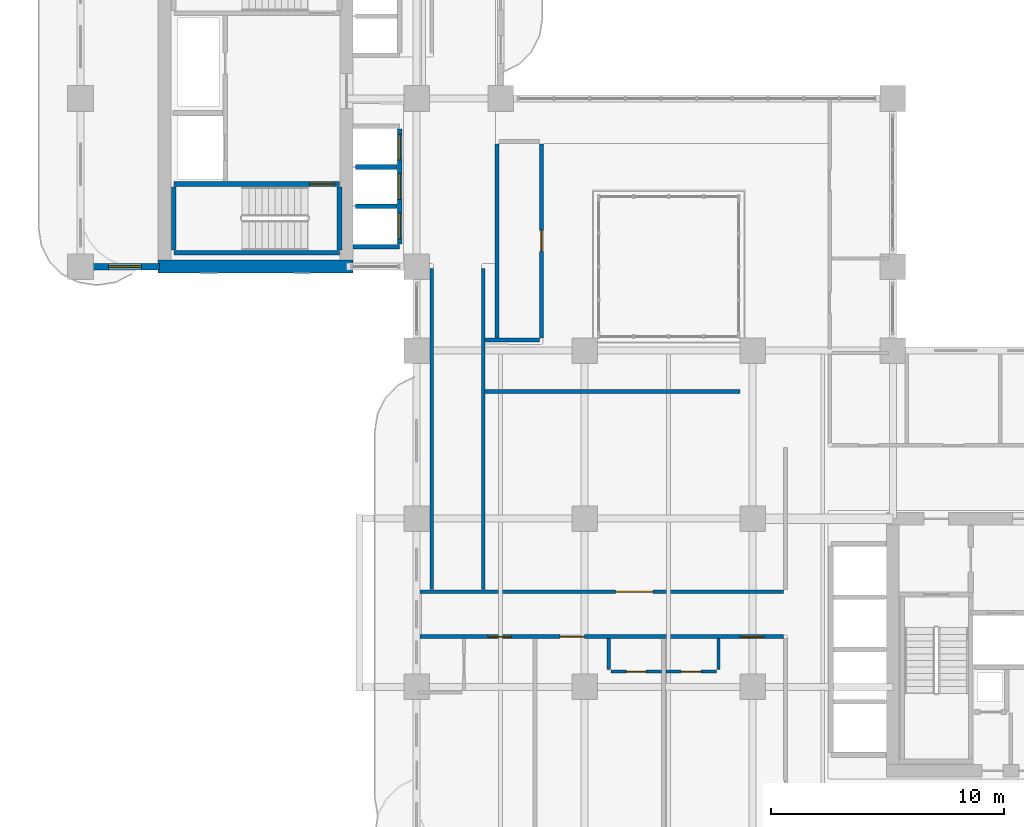
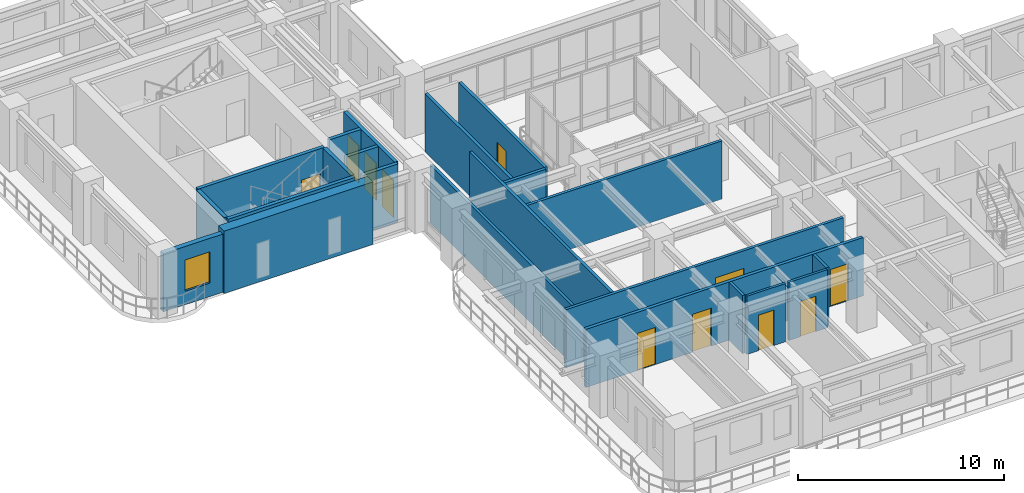
# One storey, part 12 of 22: 22 walls, 11 doors, 1 window, 12 openings.
"""IFC4 building model written with IfcOpenShell, lengths in metres."""

from ifc_helpers import new_model, si_unit, derived_unit, direction, frame, frame_2d, origin, place, context, subcontext, project, spatial, rectangle, extrude, source, transform, mapped, material, layer, layer_set, type_object, type_shapes, element, fill, save


model = new_model("IFC4")

# Units and contexts
model_context = context("Model", 3, precision=1e-05, world=origin(), true_north=direction((0.0, 1.0)))
body_context = subcontext(model_context, "Body", "Model", "MODEL_VIEW")
ifc_project = project(units=[si_unit("LENGTHUNIT", "METRE"), si_unit("AREAUNIT", "SQUARE_METRE"), si_unit("VOLUMEUNIT", "CUBIC_METRE"), si_unit("PLANEANGLEUNIT", "RADIAN"), si_unit("MASSUNIT", "GRAM", prefix="KILO"), si_unit("THERMODYNAMICTEMPERATUREUNIT", "KELVIN"), si_unit("POWERUNIT", "WATT"), derived_unit("THERMALTRANSMITTANCEUNIT", [(si_unit("POWERUNIT", "WATT"), 1), (si_unit("AREAUNIT", "SQUARE_METRE"), -1), (si_unit("THERMODYNAMICTEMPERATUREUNIT", "KELVIN"), -1)])], contexts=[model_context])

# Site, building, storey
site_placement = place(None, origin())
site = spatial("IfcSite", under=ifc_project, at=site_placement, CompositionType="ELEMENT")
building_placement = place(site_placement, origin())
building = spatial("IfcBuilding", under=site, at=building_placement, Name="Zahravan Archway Hotel and Residences", CompositionType="ELEMENT")
storey_placement = place(building_placement, frame((0.0, 0.0, 80.5)))
storey = spatial("IfcBuildingStorey", under=building, at=storey_placement, Name="L19", CompositionType="ELEMENT", Elevation=80.5)

# Wall
ifc_material_1 = material(Name="Concrete C70/85", Category="concrete")
ifc_layer_1 = layer(ifc_material_1, 0.550048828125, Name="Concrete C70/85", Category="concrete")
ifc_layer_set_1 = layer_set([ifc_layer_1], Name="Concrete C70/85")
wall_type_1 = type_object("IfcWallType", Name="CW-CORE-550", PredefinedType="SHEAR", material=ifc_layer_set_1)
wall_1_placement = place(storey_placement, frame((3.324951171875, 25.199951171875, 0.0), z_axis=(0.0, 0.0, 1.0), x_axis=(1.0, 0.0, 0.0)))
element("IfcWall", 1, at=wall_1_placement, inside=storey, type_object=wall_type_1, Name="L19 Core B Shear S Wall 550 mm", PredefinedType="SHEAR", context=body_context, shape_type="SweptSolid", body=[
    extrude(rectangle(XDim=8.35009765625, YDim=0.550048828125, at=frame_2d((4.175048828125, 0.0))), origin(), (0.0, 0.0, 1.0), 3.699951171875),
])

# Wall, opening, window
ifc_material_2 = material(Name="Honed Red-Ochre Sandstone & Insulated Block", Category="masonry")
ifc_layer_2 = layer(ifc_material_2, 0.280029296875, Name="Honed Red-Ochre Sandstone & Insulated Block", Category="masonry")
ifc_layer_set_2 = layer_set([ifc_layer_2], Name="Honed Red-Ochre Sandstone & Insulated Block")
wall_type_2 = type_object("IfcWallType", Name="EW-LOG-280", PredefinedType="SOLIDWALL", material=ifc_layer_set_2)
wall_2_placement = place(storey_placement, frame((0.0, 25.199951171875, 0.0), z_axis=(0.0, 0.0, 1.0), x_axis=(1.0, 0.0, 0.0)))
wall_2 = element("IfcWall", 2, at=wall_2_placement, inside=storey, type_object=wall_type_2, Name="L19 Exterior Sandstone Wall WB-SW", PredefinedType="SOLIDWALL", context=body_context, shape_type="SweptSolid", body=[
    extrude(rectangle(XDim=3.3798828125, YDim=0.280029296875, at=frame_2d((1.68994140625, 0.0))), origin(), (0.0, 0.0, 1.0), 3.449951171875),
])
opening_1_placement = place(wall_2_placement, frame((1.205078125, 0.0, 0.800048828125)))
opening_1 = element("IfcOpeningElement", 3, at=opening_1_placement, cuts=wall_2, Name="Opening W-03", PredefinedType="OPENING", context=body_context, shape_type="SweptSolid", body=[
    extrude(rectangle(XDim=1.39990234375, YDim=1.85009765625, at=frame_2d((0.699951171875, 0.925048828125))), frame((0.0, 0.14990234375, 0.0), z_axis=(0.0, -1.0, 0.0), x_axis=(1.0, 0.0, 0.0)), (0.0, 0.0, 1.0), 0.300048828125),
])
ifc_material_3 = material(Name="Bronze-Anodized Thermal-Break Aluminium & Low-E Glass", Category="aluminium")
window_type = type_object("IfcWindowType", Name="WIN-TWR-1400", PartitioningType="SINGLE_PANEL", PredefinedType="WINDOW", material=ifc_material_3)
shared_shape_1 = source(origin(), body_context, "Body", "SweptSolid", [
    extrude(rectangle(XDim=1.39990234375, YDim=1.85009765625, at=frame_2d((0.699951171875, 0.925048828125))), frame((0.0, 0.030029296875, 0.0), z_axis=(0.0, -1.0, 0.0), x_axis=(1.0, 0.0, 0.0)), (0.0, 0.0, 1.0), 0.06005859375),
])
type_shapes(window_type, [shared_shape_1])
window_placement = place(opening_1_placement, origin())
window = element("IfcWindow", 4, at=window_placement, inside=storey, type_object=window_type, Name="L19 Loggia Window 29", OverallHeight=1.85009765625, OverallWidth=1.39990234375, PartitioningType="SINGLE_PANEL", PredefinedType="WINDOW", context=body_context, shape_type="MappedRepresentation", body=[
    mapped(shared_shape_1, transform((0.0, 0.0, 0.0), scale=1.0)),
])
fill(opening_1, window)

# Wall, opening, door
ifc_material_4 = material(Name="Fire-Rated Gypsum & Concrete Block", Category="concrete")
ifc_layer_3 = layer(ifc_material_4, 0.159912109375, Name="Fire-Rated Gypsum & Concrete Block", Category="concrete")
ifc_layer_set_3 = layer_set([ifc_layer_3], Name="Fire-Rated Gypsum & Concrete Block")
wall_type_3 = type_object("IfcWallType", Name="PW-CORR-160", PredefinedType="PARTITIONING", material=ifc_layer_set_3)
wall_3_placement = place(storey_placement, frame((14.548095703125, 11.27001953125, 0.0), z_axis=(0.0, 0.0, 1.0), x_axis=(1.0, 0.0, 0.0)))
wall_3 = element("IfcWall", 5, at=wall_3_placement, inside=storey, type_object=wall_type_3, Name="L19 Partition WA-CN", PredefinedType="PARTITIONING", context=body_context, shape_type="SweptSolid", body=[
    extrude(rectangle(XDim=15.56201171875, YDim=0.159912109375, at=frame_2d((7.781005859375, 0.0))), origin(), (0.0, 0.0, 1.0), 3.449951171875),
])
opening_2_placement = place(wall_3_placement, frame((8.376953125, 0.0, 0.0)))
opening_2 = element("IfcOpeningElement", 6, at=opening_2_placement, cuts=wall_3, Name="Opening D-P2", PredefinedType="OPENING", context=body_context, shape_type="SweptSolid", body=[
    extrude(rectangle(XDim=1.60009765625, YDim=2.39990234375, at=frame_2d((0.800048828125, 1.199951171875))), frame((0.0, 0.08984375, 0.0), z_axis=(0.0, -1.0, 0.0), x_axis=(1.0, 0.0, 0.0)), (0.0, 0.0, 1.0), 0.179931640625),
])
ifc_material_5 = material(Name="Bronze-Anodized Glazed Aluminium", Category="aluminium")
door_type_1 = type_object("IfcDoorType", Name="ID-PUBLIC-1600", OperationType="DOUBLE_DOOR_SINGLE_SWING", PredefinedType="DOOR", material=ifc_material_5)
shared_shape_2 = source(origin(), body_context, "Body", "SweptSolid", [
    extrude(rectangle(XDim=1.60009765625, YDim=2.39990234375, at=frame_2d((0.800048828125, 1.199951171875))), frame((0.0, 0.02490234375, 0.0), z_axis=(0.0, -1.0, 0.0), x_axis=(1.0, 0.0, 0.0)), (0.0, 0.0, 1.0), 0.050048828125),
])
type_shapes(door_type_1, [shared_shape_2])
door_1_placement = place(opening_2_placement, origin())
door_1 = element("IfcDoor", 7, at=door_1_placement, inside=storey, type_object=door_type_1, Name="L19 Atrium Spa Door", OperationType="DOUBLE_DOOR_SINGLE_SWING", OverallHeight=2.39990234375, OverallWidth=1.60009765625, PredefinedType="DOOR", context=body_context, shape_type="MappedRepresentation", body=[
    mapped(shared_shape_2, transform((0.0, 0.0, 0.0), scale=1.0)),
])
fill(opening_2, door_1)

# Walls
for number, where, z_axis, x_axis, name in (
    (8, (15.050048828125, 11.360107421875, 0.0), (0.0, 0.0, 1.0), (0.0, 1.0, 0.0), "L19 Partition LNK-W"),
    (9, (17.25, 11.360107421875, 0.0), (0.0, 0.0, 1.0), (0.0, 1.0, 0.0), "L19 Partition LNK-E"),
):
    element("IfcWall", number, at=place(storey_placement, frame(where, z_axis=z_axis, x_axis=x_axis)), inside=storey, type_object=wall_type_3, Name=name, PredefinedType="PARTITIONING", context=body_context, shape_type="SweptSolid", body=[
        extrude(rectangle(XDim=13.75, YDim=0.159912109375, at=frame_2d((6.875, 0.0))), origin(), (0.0, 0.0, 1.0), 3.449951171875),
    ])
wall_4_placement = place(storey_placement, frame((17.340087890625, 19.85009765625, 0.0), z_axis=(0.0, 0.0, 1.0), x_axis=(1.0, 0.0, 0.0)))
element("IfcWall", 10, at=wall_4_placement, inside=storey, type_object=wall_type_3, Name="L19 Partition ATR-S", PredefinedType="PARTITIONING", context=body_context, shape_type="SweptSolid", body=[
    extrude(rectangle(XDim=10.919921875, YDim=0.159912109375, at=frame_2d((5.4599609375, 0.0))), origin(), (0.0, 0.0, 1.0), 3.449951171875),
])

# Wall, openings, doors
ifc_layer_4 = layer(ifc_material_4, 0.179931640625, Name="Fire-Rated Gypsum & Concrete Block", Category="concrete")
ifc_layer_set_4 = layer_set([ifc_layer_4], Name="Fire-Rated Gypsum & Concrete Block")
wall_type_4 = type_object("IfcWallType", Name="PW-CORR-180", PredefinedType="PARTITIONING", material=ifc_layer_set_4)
wall_5_placement = place(storey_placement, frame((14.548095703125, 9.35009765625, 0.0), z_axis=(0.0, 0.0, 1.0), x_axis=(1.0, 0.0, 0.0)))
wall_5 = element("IfcWall", 11, at=wall_5_placement, inside=storey, type_object=wall_type_4, Name="L19 Partition WA-CS", PredefinedType="PARTITIONING", context=body_context, shape_type="SweptSolid", body=[
    extrude(rectangle(XDim=15.56201171875, YDim=0.179931640625, at=frame_2d((7.781005859375, 0.0))), origin(), (0.0, 0.0, 1.0), 3.449951171875),
])
opening_3_placement = place(wall_5_placement, frame((2.907958984375, 0.0, 0.0)))
opening_3 = element("IfcOpeningElement", 12, at=opening_3_placement, cuts=wall_5, Name="Opening D-U2", PredefinedType="OPENING", context=body_context, shape_type="SweptSolid", body=[
    extrude(rectangle(XDim=1.0, YDim=2.199951171875, at=frame_2d((0.5, 1.10009765625))), frame((0.0, 0.10009765625, 0.0), z_axis=(0.0, -1.0, 0.0), x_axis=(1.0, 0.0, 0.0)), (0.0, 0.0, 1.0), 0.199951171875),
])
opening_4_placement = place(wall_5_placement, frame((5.985107421875, 0.0, 0.0)))
opening_4 = element("IfcOpeningElement", 13, at=opening_4_placement, cuts=wall_5, Name="Opening D-U1", PredefinedType="OPENING", context=body_context, shape_type="SweptSolid", body=[
    extrude(rectangle(XDim=1.050048828125, YDim=2.25, at=frame_2d((0.52490234375, 1.125))), frame((0.0, 0.10009765625, 0.0), z_axis=(0.0, -1.0, 0.0), x_axis=(1.0, 0.0, 0.0)), (0.0, 0.0, 1.0), 0.199951171875),
])
opening_5_placement = place(wall_5_placement, frame((13.719970703125, 0.0, 0.0)))
opening_5 = element("IfcOpeningElement", 14, at=opening_5_placement, cuts=wall_5, Name="Opening D-U2", PredefinedType="OPENING", context=body_context, shape_type="SweptSolid", body=[
    extrude(rectangle(XDim=1.0, YDim=2.199951171875, at=frame_2d((0.5, 1.10009765625))), frame((0.0, 0.10009765625, 0.0), z_axis=(0.0, -1.0, 0.0), x_axis=(1.0, 0.0, 0.0)), (0.0, 0.0, 1.0), 0.199951171875),
])
ifc_material_6 = material(Name="Hardwood Veneer Timber", Category="wood")
door_type_2 = type_object("IfcDoorType", Name="ID-UNIT-1050", OperationType="NOTDEFINED", PredefinedType="DOOR", material=ifc_material_6)
shared_shape_3 = source(origin(), body_context, "Body", "SweptSolid", [
    extrude(rectangle(XDim=1.050048828125, YDim=2.25, at=frame_2d((0.52490234375, 1.125))), frame((0.0, 0.02490234375, 0.0), z_axis=(0.0, -1.0, 0.0), x_axis=(1.0, 0.0, 0.0)), (0.0, 0.0, 1.0), 0.050048828125),
])
type_shapes(door_type_2, [shared_shape_3])
door_2_placement = place(opening_4_placement, origin())
door_2 = element("IfcDoor", 15, at=door_2_placement, inside=storey, type_object=door_type_2, Name="L19 Hotel Guestroom 2 Entrance Door", OperationType="SINGLE_SWING_RIGHT", OverallHeight=2.25, OverallWidth=1.050048828125, PredefinedType="DOOR", context=body_context, shape_type="MappedRepresentation", body=[
    mapped(shared_shape_3, transform((0.0, 0.0, 0.0), scale=1.0)),
])
fill(opening_4, door_2)
door_type_3 = type_object("IfcDoorType", Name="ID-UNIT-1000", OperationType="NOTDEFINED", PredefinedType="DOOR", material=ifc_material_6)
shared_shape_4 = source(origin(), body_context, "Body", "SweptSolid", [
    extrude(rectangle(XDim=1.0, YDim=2.199951171875, at=frame_2d((0.5, 1.10009765625))), frame((0.0, 0.02490234375, 0.0), z_axis=(0.0, -1.0, 0.0), x_axis=(1.0, 0.0, 0.0)), (0.0, 0.0, 1.0), 0.050048828125),
])
type_shapes(door_type_3, [shared_shape_4])
door_3_placement = place(opening_3_placement, origin())
door_3 = element("IfcDoor", 16, at=door_3_placement, inside=storey, type_object=door_type_3, Name="L19 Hotel Guestroom 1 Entrance Door", OperationType="SINGLE_SWING_RIGHT", OverallHeight=2.199951171875, OverallWidth=1.0, PredefinedType="DOOR", context=body_context, shape_type="MappedRepresentation", body=[
    mapped(shared_shape_4, transform((0.0, 0.0, 0.0), scale=1.0)),
])
fill(opening_3, door_3)
door_4_placement = place(opening_5_placement, origin())
door_4 = element("IfcDoor", 17, at=door_4_placement, inside=storey, type_object=door_type_3, Name="L19 Hotel Guestroom 3 Entrance Door", OperationType="SINGLE_SWING_RIGHT", OverallHeight=2.199951171875, OverallWidth=1.0, PredefinedType="DOOR", context=body_context, shape_type="MappedRepresentation", body=[
    mapped(shared_shape_4, transform((0.0, 0.0, 0.0), scale=1.0)),
])
fill(opening_5, door_4)

# Wall
ifc_layer_5 = layer(ifc_material_4, 0.199951171875, Name="Fire-Rated Gypsum & Concrete Block", Category="concrete")
ifc_layer_set_5 = layer_set([ifc_layer_5], Name="Fire-Rated Gypsum & Concrete Block")
wall_type_5 = type_object("IfcWallType", Name="PW-SHAFT-200", PredefinedType="PARTITIONING", material=ifc_layer_set_5)
wall_6_placement = place(storey_placement, frame((11.68505859375, 26.050048828125, 0.0), z_axis=(0.0, 0.0, 1.0), x_axis=(1.0, 0.0, 0.0)))
element("IfcWall", 18, at=wall_6_placement, inside=storey, type_object=wall_type_5, Name="L19 Partition B1-S", PredefinedType="PARTITIONING", context=body_context, shape_type="SweptSolid", body=[
    extrude(rectangle(XDim=1.98486328125, YDim=0.199951171875, at=frame_2d((0.992431640625, 0.0))), origin(), (0.0, 0.0, 1.0), 3.449951171875),
])

# Wall, openings, doors
wall_7_placement = place(storey_placement, frame((13.679931640625, 26.159912109375, 0.0), z_axis=(0.0, 0.0, 1.0), x_axis=(0.0, 1.0, 0.0)))
wall_7 = element("IfcWall", 19, at=wall_7_placement, inside=storey, type_object=wall_type_5, Name="L19 Partition B1-E", PredefinedType="PARTITIONING", context=body_context, shape_type="SweptSolid", body=[
    extrude(rectangle(XDim=4.940185546875, YDim=0.199951171875, at=frame_2d((2.47021484375, 0.0))), origin(), (0.0, 0.0, 1.0), 3.449951171875),
])
opening_6_placement = place(wall_7_placement, frame((0.239990234375, 0.0, 0.0)))
opening_6 = element("IfcOpeningElement", 20, at=opening_6_placement, cuts=wall_7, Name="Opening LD", PredefinedType="OPENING", context=body_context, shape_type="SweptSolid", body=[
    extrude(rectangle(XDim=1.10009765625, YDim=2.199951171875, at=frame_2d((0.550048828125, 1.10009765625))), frame((0.0, 0.10986328125, 0.0), z_axis=(0.0, -1.0, 0.0), x_axis=(1.0, 0.0, 0.0)), (0.0, 0.0, 1.0), 0.219970703125),
])
opening_7_placement = place(wall_7_placement, frame((1.919921875, 0.0, 0.0)))
opening_7 = element("IfcOpeningElement", 21, at=opening_7_placement, cuts=wall_7, Name="Opening LD", PredefinedType="OPENING", context=body_context, shape_type="SweptSolid", body=[
    extrude(rectangle(XDim=1.10009765625, YDim=2.199951171875, at=frame_2d((0.550048828125, 1.10009765625))), frame((0.0, 0.10986328125, 0.0), z_axis=(0.0, -1.0, 0.0), x_axis=(1.0, 0.0, 0.0)), (0.0, 0.0, 1.0), 0.219970703125),
])
opening_8_placement = place(wall_7_placement, frame((3.60009765625, 0.0, 0.0)))
opening_8 = element("IfcOpeningElement", 22, at=opening_8_placement, cuts=wall_7, Name="Opening LD", PredefinedType="OPENING", context=body_context, shape_type="SweptSolid", body=[
    extrude(rectangle(XDim=1.10009765625, YDim=2.199951171875, at=frame_2d((0.550048828125, 1.10009765625))), frame((0.0, 0.10986328125, 0.0), z_axis=(0.0, -1.0, 0.0), x_axis=(1.0, 0.0, 0.0)), (0.0, 0.0, 1.0), 0.219970703125),
])
ifc_material_7 = material(Name="Brushed Stainless Steel", Category="steel")
door_type_4 = type_object("IfcDoorType", Name="DR-LIFT-LD", OperationType="SLIDING_TO_LEFT", PredefinedType="DOOR", material=ifc_material_7)
shared_shape_5 = source(origin(), body_context, "Body", "SweptSolid", [
    extrude(rectangle(XDim=1.10009765625, YDim=2.199951171875, at=frame_2d((0.550048828125, 1.10009765625))), frame((0.0, 0.02490234375, 0.0), z_axis=(0.0, -1.0, 0.0), x_axis=(1.0, 0.0, 0.0)), (0.0, 0.0, 1.0), 0.050048828125),
])
type_shapes(door_type_4, [shared_shape_5])
door_5_placement = place(opening_6_placement, origin())
door_5 = element("IfcDoor", 23, at=door_5_placement, inside=storey, type_object=door_type_4, Name="L19 Lift LP-1 Sliding Landing Door", OperationType="SLIDING_TO_LEFT", OverallHeight=2.199951171875, OverallWidth=1.10009765625, PredefinedType="DOOR", context=body_context, shape_type="MappedRepresentation", body=[
    mapped(shared_shape_5, transform((0.0, 0.0, 0.0), scale=1.0)),
])
fill(opening_6, door_5)
door_6_placement = place(opening_7_placement, origin())
door_6 = element("IfcDoor", 24, at=door_6_placement, inside=storey, type_object=door_type_4, Name="L19 Lift LP-2 Sliding Landing Door", OperationType="SLIDING_TO_LEFT", OverallHeight=2.199951171875, OverallWidth=1.10009765625, PredefinedType="DOOR", context=body_context, shape_type="MappedRepresentation", body=[
    mapped(shared_shape_5, transform((0.0, 0.0, 0.0), scale=1.0)),
])
fill(opening_7, door_6)
door_7_placement = place(opening_8_placement, origin())
door_7 = element("IfcDoor", 25, at=door_7_placement, inside=storey, type_object=door_type_4, Name="L19 Lift LP-3 Sliding Landing Door", OperationType="SLIDING_TO_LEFT", OverallHeight=2.199951171875, OverallWidth=1.10009765625, PredefinedType="DOOR", context=body_context, shape_type="MappedRepresentation", body=[
    mapped(shared_shape_5, transform((0.0, 0.0, 0.0), scale=1.0)),
])
fill(opening_8, door_7)

# Walls
for number, where, z_axis, x_axis, name in (
    (26, (11.784912109375, 27.7900390625, 0.0), (0.0, 0.0, 1.0), (1.0, 0.0, 0.0), "L19 Partition B1-D"),
    (27, (11.784912109375, 29.469970703125, 0.0), (0.0, 0.0, 1.0), (1.0, 0.0, 0.0), "L19 Partition B1-D"),
):
    element("IfcWall", number, at=place(storey_placement, frame(where, z_axis=z_axis, x_axis=x_axis)), inside=storey, type_object=wall_type_5, Name=name, PredefinedType="PARTITIONING", context=body_context, shape_type="SweptSolid", body=[
        extrude(rectangle(XDim=1.78515625, YDim=0.199951171875, at=frame_2d((0.892578125, 0.0))), origin(), (0.0, 0.0, 1.0), 3.449951171875),
    ])
ifc_material_8 = material(Name="Acoustic Stud Partition")
ifc_layer_6 = layer(ifc_material_8, 0.169921875, Name="Acoustic Stud Partition")
ifc_layer_set_6 = layer_set([ifc_layer_6], Name="Acoustic Stud Partition")
wall_type_6 = type_object("IfcWallType", Name="PW-UNIT-170", PredefinedType="PARTITIONING", material=ifc_layer_set_6)
wall_8_placement = place(storey_placement, frame((17.340087890625, 22.050048828125, 0.0), z_axis=(0.0, 0.0, 1.0), x_axis=(1.0, 0.0, 0.0)))
element("IfcWall", 28, at=wall_8_placement, inside=storey, type_object=wall_type_6, Name="L19 Partition ATR-WLS", PredefinedType="PARTITIONING", context=body_context, shape_type="SweptSolid", body=[
    extrude(rectangle(XDim=2.31982421875, YDim=0.169921875, at=frame_2d((1.159912109375, 0.0))), origin(), (0.0, 0.0, 1.0), 3.449951171875),
])
wall_9_placement = place(storey_placement, frame((17.85009765625, 22.139892578125, 0.0), z_axis=(0.0, 0.0, 1.0), x_axis=(0.0, 1.0, 0.0)))
element("IfcWall", 29, at=wall_9_placement, inside=storey, type_object=wall_type_6, Name="L19 Partition ATR-WLW", PredefinedType="PARTITIONING", context=body_context, shape_type="SweptSolid", body=[
    extrude(rectangle(XDim=8.320068359375, YDim=0.169921875, at=frame_2d((4.16015625, 0.0))), origin(), (0.0, 0.0, 1.0), 3.449951171875),
])

# Wall, opening, door
wall_10_placement = place(storey_placement, frame((19.75, 22.139892578125, 0.0), z_axis=(0.0, 0.0, 1.0), x_axis=(0.0, 1.0, 0.0)))
wall_10 = element("IfcWall", 30, at=wall_10_placement, inside=storey, type_object=wall_type_6, Name="L19 Partition ATR-WL", PredefinedType="PARTITIONING", context=body_context, shape_type="SweptSolid", body=[
    extrude(rectangle(XDim=8.320068359375, YDim=0.169921875, at=frame_2d((4.16015625, 0.0))), origin(), (0.0, 0.0, 1.0), 3.449951171875),
])
opening_9_placement = place(wall_10_placement, frame((3.7099609375, 0.0, 0.0)))
opening_9 = element("IfcOpeningElement", 31, at=opening_9_placement, cuts=wall_10, Name="Opening D-I2", PredefinedType="OPENING", context=body_context, shape_type="SweptSolid", body=[
    extrude(rectangle(XDim=0.89990234375, YDim=2.14990234375, at=frame_2d((0.449951171875, 1.074951171875))), frame((0.0, 0.094970703125, 0.0), z_axis=(0.0, -1.0, 0.0), x_axis=(1.0, 0.0, 0.0)), (0.0, 0.0, 1.0), 0.18994140625),
])
door_type_5 = type_object("IfcDoorType", Name="ID-INT-900", OperationType="NOTDEFINED", PredefinedType="DOOR", material=ifc_material_6)
shared_shape_6 = source(origin(), body_context, "Body", "SweptSolid", [
    extrude(rectangle(XDim=0.89990234375, YDim=2.14990234375, at=frame_2d((0.449951171875, 1.074951171875))), frame((0.0, 0.02490234375, 0.0), z_axis=(0.0, -1.0, 0.0), x_axis=(1.0, 0.0, 0.0)), (0.0, 0.0, 1.0), 0.050048828125),
])
type_shapes(door_type_5, [shared_shape_6])
door_8_placement = place(opening_9_placement, origin())
door_8 = element("IfcDoor", 32, at=door_8_placement, inside=storey, type_object=door_type_5, Name="L19 Atrium West Alcove Door", OperationType="SINGLE_SWING_LEFT", OverallHeight=2.14990234375, OverallWidth=0.89990234375, PredefinedType="DOOR", context=body_context, shape_type="MappedRepresentation", body=[
    mapped(shared_shape_6, transform((0.0, 0.0, 0.0), scale=1.0)),
])
fill(opening_9, door_8)

# Wall
ifc_material_9 = material(Name="Moisture-Resistant Blockwork", Category="masonry")
ifc_layer_7 = layer(ifc_material_9, 0.139892578125, Name="Moisture-Resistant Blockwork", Category="masonry")
ifc_layer_set_7 = layer_set([ifc_layer_7], Name="Moisture-Resistant Blockwork")
wall_type_7 = type_object("IfcWallType", Name="PW-WET-140", PredefinedType="PARTITIONING", material=ifc_layer_set_7)
wall_11_placement = place(storey_placement, frame((22.635986328125, 7.93994140625, 0.0), z_axis=(0.0, 0.0, 1.0), x_axis=(0.0, 1.0, 0.0)))
element("IfcWall", 33, at=wall_11_placement, inside=storey, type_object=wall_type_7, Name="L19 Partition HKB-V2", PredefinedType="PARTITIONING", context=body_context, shape_type="SweptSolid", body=[
    extrude(rectangle(XDim=1.320068359375, YDim=0.139892578125, at=frame_2d((0.66015625, 0.0))), origin(), (0.0, 0.0, 1.0), 3.449951171875),
])

# Wall, opening, door
wall_12_placement = place(storey_placement, frame((22.72607421875, 7.85009765625, 0.0), z_axis=(0.0, 0.0, 1.0), x_axis=(1.0, 0.0, 0.0)))
wall_12 = element("IfcWall", 34, at=wall_12_placement, inside=storey, type_object=wall_type_7, Name="L19 Partition HKB-H2", PredefinedType="PARTITIONING", context=body_context, shape_type="SweptSolid", body=[
    extrude(rectangle(XDim=2.169921875, YDim=0.139892578125, at=frame_2d((1.0849609375, 0.0))), origin(), (0.0, 0.0, 1.0), 3.449951171875),
])
opening_10_placement = place(wall_12_placement, frame((0.659912109375, 0.0, 0.0)))
opening_10 = element("IfcOpeningElement", 35, at=opening_10_placement, cuts=wall_12, Name="Opening D-B1", PredefinedType="OPENING", context=body_context, shape_type="SweptSolid", body=[
    extrude(rectangle(XDim=0.85009765625, YDim=2.10009765625, at=frame_2d((0.425048828125, 1.050048828125))), frame((0.0, 0.080078125, 0.0), z_axis=(0.0, -1.0, 0.0), x_axis=(1.0, 0.0, 0.0)), (0.0, 0.0, 1.0), 0.159912109375),
])
door_type_6 = type_object("IfcDoorType", Name="ID-BATH-850", OperationType="NOTDEFINED", PredefinedType="DOOR", material=ifc_material_6)
shared_shape_7 = source(origin(), body_context, "Body", "SweptSolid", [
    extrude(rectangle(XDim=0.85009765625, YDim=2.10009765625, at=frame_2d((0.425048828125, 1.050048828125))), frame((0.0, 0.02490234375, 0.0), z_axis=(0.0, -1.0, 0.0), x_axis=(1.0, 0.0, 0.0)), (0.0, 0.0, 1.0), 0.050048828125),
])
type_shapes(door_type_6, [shared_shape_7])
door_9_placement = place(opening_10_placement, origin())
door_9 = element("IfcDoor", 36, at=door_9_placement, inside=storey, type_object=door_type_6, Name="L19 Guestroom 2 En-Suite Door", OperationType="SINGLE_SWING_LEFT", OverallHeight=2.10009765625, OverallWidth=0.85009765625, PredefinedType="DOOR", context=body_context, shape_type="MappedRepresentation", body=[
    mapped(shared_shape_7, transform((0.0, 0.0, 0.0), scale=1.0)),
])
fill(opening_10, door_9)

# Wall
wall_13_placement = place(storey_placement, frame((27.3359375, 7.93994140625, 0.0), z_axis=(0.0, 0.0, 1.0), x_axis=(0.0, 1.0, 0.0)))
element("IfcWall", 37, at=wall_13_placement, inside=storey, type_object=wall_type_7, Name="L19 Partition HKB-V3", PredefinedType="PARTITIONING", context=body_context, shape_type="SweptSolid", body=[
    extrude(rectangle(XDim=1.320068359375, YDim=0.139892578125, at=frame_2d((0.66015625, 0.0))), origin(), (0.0, 0.0, 1.0), 3.449951171875),
])

# Wall, opening, door
wall_14_placement = place(storey_placement, frame((25.075927734375, 7.85009765625, 0.0), z_axis=(0.0, 0.0, 1.0), x_axis=(1.0, 0.0, 0.0)))
wall_14 = element("IfcWall", 38, at=wall_14_placement, inside=storey, type_object=wall_type_7, Name="L19 Partition HKB-H3", PredefinedType="PARTITIONING", context=body_context, shape_type="SweptSolid", body=[
    extrude(rectangle(XDim=2.170166015625, YDim=0.139892578125, at=frame_2d((1.0849609375, 0.0))), origin(), (0.0, 0.0, 1.0), 3.449951171875),
])
opening_11_placement = place(wall_14_placement, frame((0.659912109375, 0.0, 0.0)))
opening_11 = element("IfcOpeningElement", 39, at=opening_11_placement, cuts=wall_14, Name="Opening D-B1", PredefinedType="OPENING", context=body_context, shape_type="SweptSolid", body=[
    extrude(rectangle(XDim=0.85009765625, YDim=2.10009765625, at=frame_2d((0.425048828125, 1.050048828125))), frame((0.0, 0.080078125, 0.0), z_axis=(0.0, -1.0, 0.0), x_axis=(1.0, 0.0, 0.0)), (0.0, 0.0, 1.0), 0.159912109375),
])
door_10_placement = place(opening_11_placement, origin())
door_10 = element("IfcDoor", 40, at=door_10_placement, inside=storey, type_object=door_type_6, Name="L19 Guestroom 3 En-Suite Door", OperationType="SINGLE_SWING_LEFT", OverallHeight=2.10009765625, OverallWidth=0.85009765625, PredefinedType="DOOR", context=body_context, shape_type="MappedRepresentation", body=[
    mapped(shared_shape_7, transform((0.0, 0.0, 0.0), scale=1.0)),
])
fill(opening_11, door_10)

# Walls
ifc_material_10 = material(Name="Concrete C50/60", Category="concrete")
ifc_layer_8 = layer(ifc_material_10, 0.199951171875, Name="Concrete C50/60", Category="concrete")
ifc_layer_set_8 = layer_set([ifc_layer_8], Name="Concrete C50/60")
wall_type_8 = type_object("IfcWallType", Name="SW-STAIR-200", PredefinedType="SHEAR", material=ifc_layer_set_8)
wall_15_placement = place(storey_placement, frame((4.0, 25.800048828125, 0.0), z_axis=(0.0, 0.0, 1.0), x_axis=(1.0, 0.0, 0.0)))
element("IfcWall", 41, at=wall_15_placement, inside=storey, type_object=wall_type_8, Name="L19 Stairwell RC Wall CB-SB1S", PredefinedType="SHEAR", context=body_context, shape_type="SweptSolid", body=[
    extrude(rectangle(XDim=7.10009765625, YDim=0.199951171875, at=frame_2d((3.550048828125, 0.0))), origin(), (0.0, 0.0, 1.0), 3.699951171875),
])
for number, where, z_axis, x_axis, name in (
    (42, (4.0, 25.919921875, 0.0), (0.0, 0.0, 1.0), (0.0, 1.0, 0.0), "L19 Stairwell RC Wall CB-SB1W"),
    (43, (11.10009765625, 25.919921875, 0.0), (0.0, 0.0, 1.0), (0.0, 1.0, 0.0), "L19 Stairwell RC Wall CB-SB1E"),
):
    element("IfcWall", number, at=place(storey_placement, frame(where, z_axis=z_axis, x_axis=x_axis)), inside=storey, type_object=wall_type_8, Name=name, PredefinedType="SHEAR", context=body_context, shape_type="SweptSolid", body=[
        extrude(rectangle(XDim=2.7001953125, YDim=0.199951171875, at=frame_2d((1.35009765625, 0.0))), origin(), (0.0, 0.0, 1.0), 3.699951171875),
    ])

# Wall, opening, door
wall_16_placement = place(storey_placement, frame((4.0, 28.739990234375, 0.0), z_axis=(0.0, 0.0, 1.0), x_axis=(1.0, 0.0, 0.0)))
wall_16 = element("IfcWall", 44, at=wall_16_placement, inside=storey, type_object=wall_type_8, Name="L19 Stairwell RC Wall CB-SB1N", PredefinedType="SHEAR", context=body_context, shape_type="SweptSolid", body=[
    extrude(rectangle(XDim=7.10009765625, YDim=0.199951171875, at=frame_2d((3.550048828125, 0.0))), origin(), (0.0, 0.0, 1.0), 3.699951171875),
])
opening_12_placement = place(wall_16_placement, frame((5.81494140625, 0.0, 0.0)))
opening_12 = element("IfcOpeningElement", 45, at=opening_12_placement, cuts=wall_16, Name="Opening FD-S1", PredefinedType="OPENING", context=body_context, shape_type="SweptSolid", body=[
    extrude(rectangle(XDim=1.050048828125, YDim=2.199951171875, at=frame_2d((0.52490234375, 1.10009765625))), frame((0.0, 0.10986328125, 0.0), z_axis=(0.0, -1.0, 0.0), x_axis=(1.0, 0.0, 0.0)), (0.0, 0.0, 1.0), 0.219970703125),
])
ifc_material_11 = material(Name="Fire-Rated Painted Steel", Category="steel")
door_type_7 = type_object("IfcDoorType", Name="FD-STAIR-1100", OperationType="NOTDEFINED", PredefinedType="DOOR", material=ifc_material_11)
shared_shape_8 = source(origin(), body_context, "Body", "SweptSolid", [
    extrude(rectangle(XDim=1.050048828125, YDim=2.199951171875, at=frame_2d((0.52490234375, 1.10009765625))), frame((0.0, 0.02490234375, 0.0), z_axis=(0.0, -1.0, 0.0), x_axis=(1.0, 0.0, 0.0)), (0.0, 0.0, 1.0), 0.050048828125),
])
type_shapes(door_type_7, [shared_shape_8])
door_11_placement = place(opening_12_placement, origin())
door_11 = element("IfcDoor", 46, at=door_11_placement, inside=storey, type_object=door_type_7, Name="L19 Stair ST-B1 Door", OperationType="SINGLE_SWING_LEFT", OverallHeight=2.199951171875, OverallWidth=1.050048828125, PredefinedType="DOOR", context=body_context, shape_type="MappedRepresentation", body=[
    mapped(shared_shape_8, transform((0.0, 0.0, 0.0), scale=1.0)),
])
fill(opening_12, door_11)

save(model, "model.ifc")
